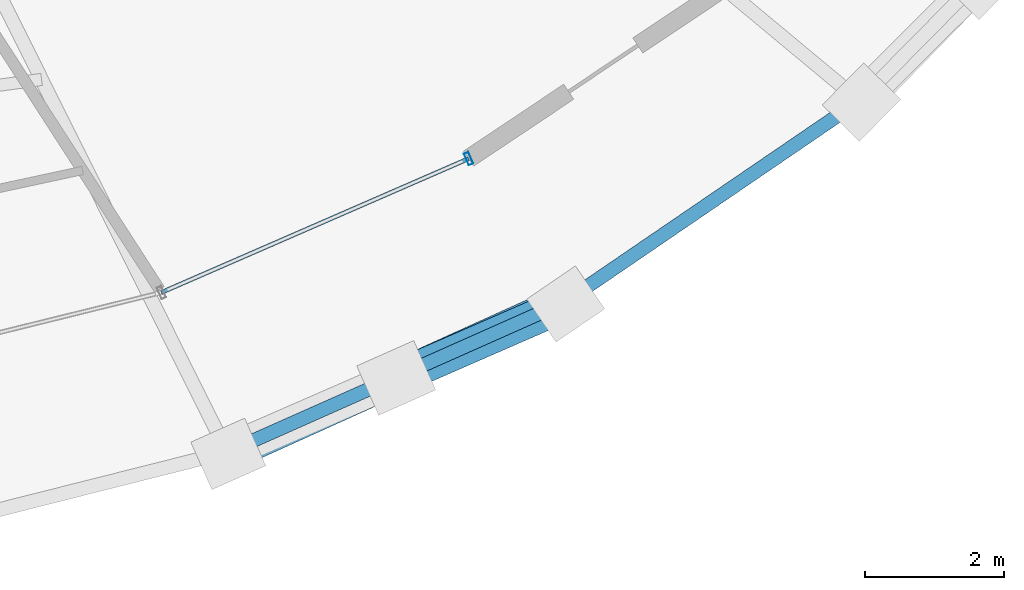
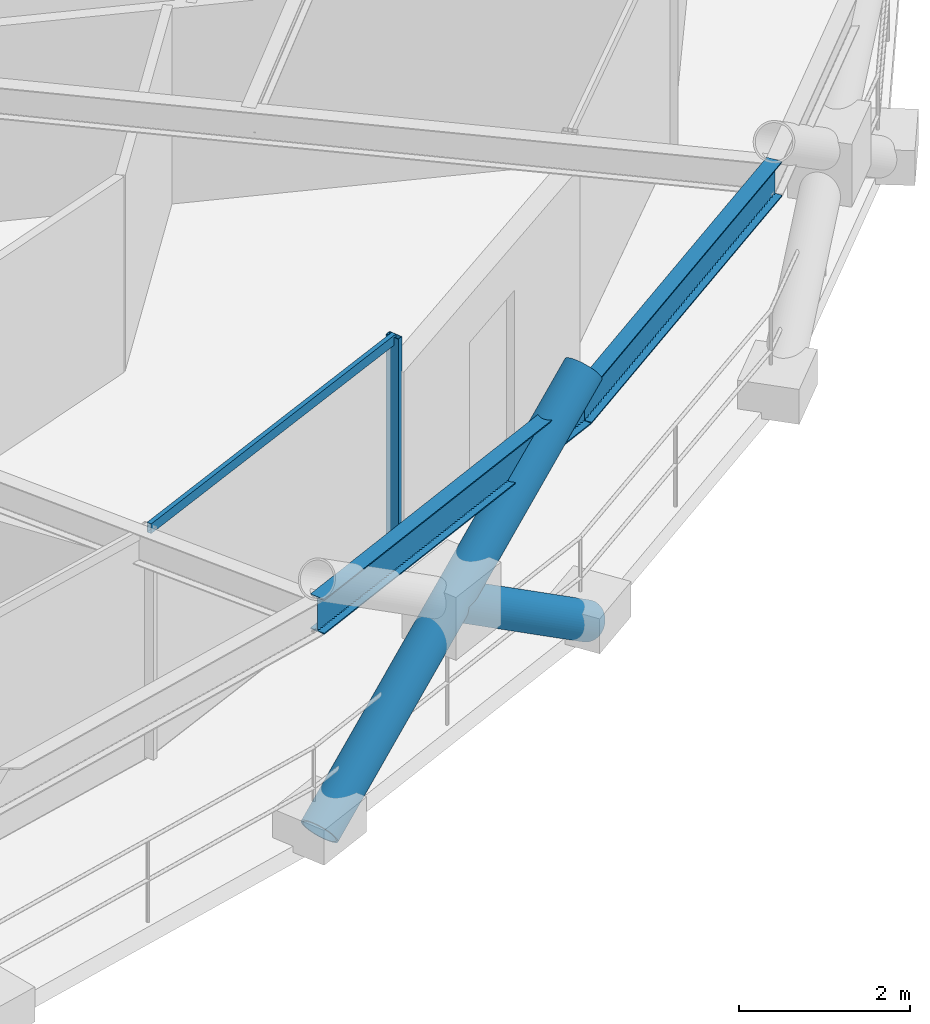
# One storey, part 5 of 19: 4 members, 2 beams, 1 element without a shape of its own.
"""IFC4 building model written with IfcOpenShell, lengths in metres."""

from ifc_helpers import new_model, si_unit, direction, frame, origin, origin_2d, place, context, subcontext, project, spatial, hollow_rectangle, hollow_circle, i_section, extrude, material, layer, layer_set, material_profile, profile_set, type_object, element, aggregate, save


model = new_model("IFC4")

# Units and contexts
model_context = context("Model", 3, precision=1e-05, world=origin(), true_north=direction((0.0, 1.0)))
body_context = subcontext(model_context, "Body", "Model", "MODEL_VIEW")
ifc_project = project(units=[si_unit("LENGTHUNIT", "METRE"), si_unit("AREAUNIT", "SQUARE_METRE"), si_unit("VOLUMEUNIT", "CUBIC_METRE"), si_unit("PLANEANGLEUNIT", "RADIAN"), si_unit("MASSUNIT", "GRAM", prefix="KILO")], contexts=[model_context])

# Site, building, storey
site_placement = place(None, origin())
site = spatial("IfcSite", under=ifc_project, at=site_placement, CompositionType="ELEMENT")
building_placement = place(site_placement, origin())
building = spatial("IfcBuilding", under=site, at=building_placement, Name="Veldorina Hangang Commons", CompositionType="ELEMENT")
storey_placement = place(building_placement, frame((0.0, 0.0, 164.0)))
storey = spatial("IfcBuildingStorey", under=building, at=storey_placement, Name="L42", CompositionType="ELEMENT", Elevation=164.0)

# Beams
ifc_material_1 = material(Name="Steel SM420-TMC", Category="steel")
ifc_material_profile_1 = material_profile(ifc_material_1, i_section(OverallWidth=0.199951171875, OverallDepth=0.5, WebThickness=0.010009765625, FlangeThickness=0.01611328125, FilletRadius=0.01611328125, at=origin_2d()), Name="H-500x200x10x16")
ifc_profile_set_1 = profile_set([ifc_material_profile_1], Name="Steel SM420-TMC")
beam_type = type_object("IfcBeamType", Name="BM-RB500", PredefinedType="BEAM", material=ifc_profile_set_1)
beam_1_placement = place(storey_placement, frame((42.754150390625, 2.40771484375, 3.10009765625), z_axis=(0.913785036824, 0.406198112349, 0.0), x_axis=(-0.406198112349, 0.913785036824, 0.0)))
element("IfcBeam", 1, at=beam_1_placement, inside=storey, type_object=beam_type, Name="L42 perimeter hoop ring beam 26", PredefinedType="BEAM", context=body_context, shape_type="SweptSolid", body=[
    extrude(i_section(OverallWidth=0.199951171875, OverallDepth=0.5, WebThickness=0.010009765625, FlangeThickness=0.01611328125, FilletRadius=0.01611328125, at=origin_2d()), origin(), (0.0, 0.0, 1.0), 5.31689453125),
])
beam_2_placement = place(storey_placement, frame((47.612548828125, 4.5673828125, 3.10009765625), z_axis=(0.825924674368, 0.563780482343, 0.0), x_axis=(-0.563780482343, 0.825924674368, 0.0)))
element("IfcBeam", 2, at=beam_2_placement, inside=storey, type_object=beam_type, Name="L42 perimeter hoop ring beam 27", PredefinedType="BEAM", context=body_context, shape_type="SweptSolid", body=[
    extrude(i_section(OverallWidth=0.199951171875, OverallDepth=0.5, WebThickness=0.010009765625, FlangeThickness=0.01611328125, FilletRadius=0.01611328125, at=origin_2d()), origin(), (0.0, 0.0, 1.0), 5.15576171875),
])

# Curtain wall, members
ifc_material_2 = material(Name="Glass Low-E Triple IGU", Category="glass")
ifc_layer = layer(ifc_material_2, 0.179931640625)
ifc_layer_set = layer_set([ifc_layer], Name="Glass Low-E Triple IGU")
curtain_wall_type = type_object("IfcCurtainWallType", Name="CW-SYS-Z2", PredefinedType="NOTDEFINED", material=ifc_layer_set)
curtain_wall_placement = place(storey_placement, origin())
curtain_wall = element("IfcCurtainWall", 3, at=curtain_wall_placement, inside=storey, type_object=curtain_wall_type, Name="L42 unitised curtain wall CW-L42-R1", PredefinedType="NOTDEFINED")
ifc_material_3 = material(Name="Aluminium Anodized AA6063-T6", Category="aluminium")
ifc_material_profile_2 = material_profile(ifc_material_3, hollow_rectangle(XDim=0.070068359375, YDim=0.179931640625, WallThickness=0.00390625, at=origin_2d()), Name="ALU-RHS-180x70x4")
ifc_profile_set_2 = profile_set([ifc_material_profile_2], Name="Aluminium Anodized AA6063-T6")
member_type_1 = type_object("IfcMemberType", Name="CW-MUL-180", PredefinedType="MULLION", material=ifc_profile_set_2)
member_1_placement = place(storey_placement, frame((46.23486328125, 6.639404296875, 0.0), z_axis=(0.0, 0.0, 1.0), x_axis=(-0.916809351952, -0.399325196016, 0.0)))
member_1 = element("IfcMember", 4, at=member_1_placement, type_object=member_type_1, Name="CW-L42-R1 vertical mullion 5", PredefinedType="MULLION", context=body_context, shape_type="SweptSolid", body=[
    extrude(hollow_rectangle(XDim=0.070068359375, YDim=0.179931640625, WallThickness=0.00390625, at=origin_2d()), origin(), (0.0, 0.0, 1.0), 3.31005859375),
])
ifc_material_profile_3 = material_profile(ifc_material_3, hollow_rectangle(XDim=0.06005859375, YDim=0.139892578125, WallThickness=0.00341796875, at=origin_2d()), Name="ALU-RHS-140x60x3.5")
ifc_profile_set_3 = profile_set([ifc_material_profile_3], Name="Aluminium Anodized AA6063-T6")
member_type_2 = type_object("IfcMemberType", Name="CW-TRN-140", PredefinedType="USERDEFINED", material=ifc_profile_set_3)
member_2_placement = place(storey_placement, frame((41.80517578125, 4.7099609375, 3.27001953125), z_axis=(0.916805559479, 0.399333903029, 0.0), x_axis=(-0.399333903029, 0.916805559479, 0.0)))
member_2 = element("IfcMember", 5, at=member_2_placement, type_object=member_type_2, Name="CW-L42-R1 facet 4 transom 1", ObjectType="TRANSOM", PredefinedType="USERDEFINED", context=body_context, shape_type="SweptSolid", body=[
    extrude(hollow_rectangle(XDim=0.06005859375, YDim=0.139892578125, WallThickness=0.00341796875, at=origin_2d()), origin(), (0.0, 0.0, 1.0), 4.83154296875),
])
aggregate(curtain_wall, [member_1, member_2])

# Members
ifc_material_profile_4 = material_profile(ifc_material_1, hollow_circle(Radius=0.25, WallThickness=0.02490234375, at=origin_2d()), Name="CHS-500x25")
ifc_profile_set_4 = profile_set([ifc_material_profile_4], Name="Steel SM420-TMC")
member_type_3 = type_object("IfcMemberType", Name="DG-CHS500", PredefinedType="BRACE", material=ifc_profile_set_4)
member_3_placement = place(storey_placement, frame((42.76953125, 2.381591796875, 0.0), z_axis=(0.754174026006, 0.341246435236, 0.561045817146), x_axis=(-0.412240543876, 0.911075043004, 0.0)))
element("IfcMember", 6, at=member_3_placement, inside=storey, type_object=member_type_3, Name="L42 continuous perimeter diagrid brace 26", PredefinedType="BRACE", context=body_context, shape_type="SweptSolid", body=[
    extrude(hollow_circle(Radius=0.25, WallThickness=0.02490234375, at=origin_2d()), origin(), (0.0, 0.0, 1.0), 6.416748046875),
])
member_4_placement = place(storey_placement, frame((47.635009765625, 4.5439453125, 0.0), z_axis=(-0.759428324546, -0.331462772222, 0.559822338344), x_axis=(0.400021368254, -0.916505812824, 0.0)))
element("IfcMember", 7, at=member_4_placement, inside=storey, type_object=member_type_3, Name="L42 split perimeter diagrid lower brace 27", PredefinedType="BRACE", context=body_context, shape_type="SweptSolid", body=[
    extrude(hollow_circle(Radius=0.25, WallThickness=0.02490234375, at=origin_2d()), origin(), (0.0, 0.0, 1.0), 3.218017578125),
])

save(model, "model.ifc")
